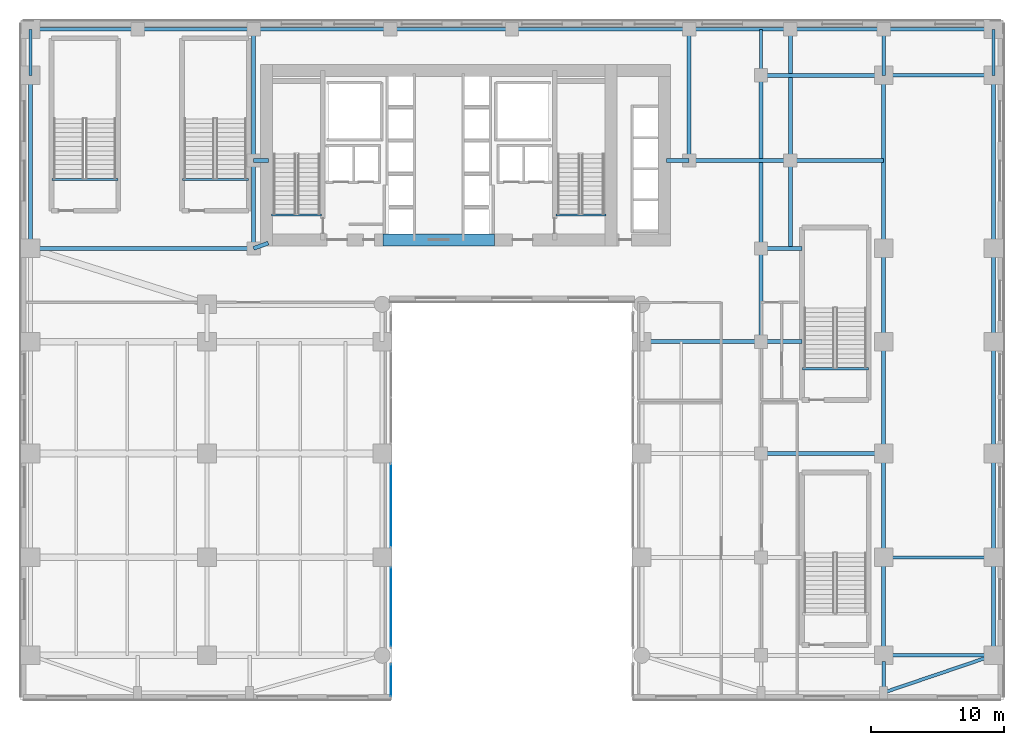
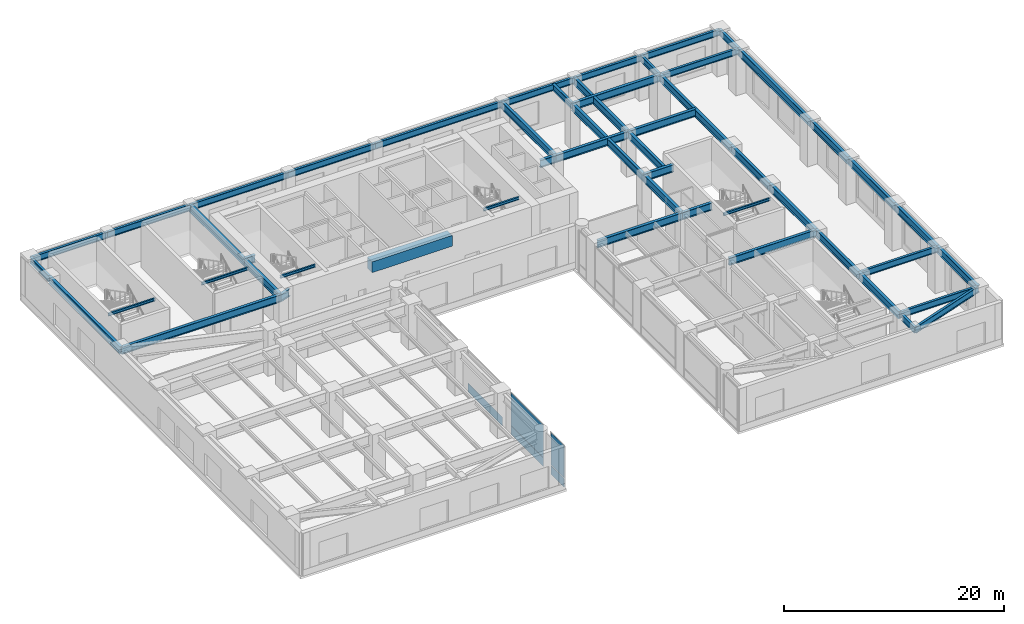
# One storey, part 11 of 24: 52 beams, 5 plates, 3 elements without a shape of their own.
"""IFC4 building model written with IfcOpenShell, lengths in metres."""

from ifc_helpers import new_model, si_unit, direction, frame, origin, origin_2d, place, context, subcontext, project, spatial, rectangle, i_section, extrude, source, transform, mapped, material, layer, layer_set, material_profile, profile_set, type_object, type_shapes, element, aggregate, save


model = new_model("IFC4")

# Units and contexts
model_context = context("Model", 3, precision=1e-05, world=origin(), true_north=direction((0.0, 1.0)))
body_context = subcontext(model_context, "Body", "Model", "MODEL_VIEW")
ifc_project = project(units=[si_unit("LENGTHUNIT", "METRE"), si_unit("AREAUNIT", "SQUARE_METRE"), si_unit("VOLUMEUNIT", "CUBIC_METRE"), si_unit("PLANEANGLEUNIT", "RADIAN"), si_unit("MASSUNIT", "GRAM", prefix="KILO")], contexts=[model_context])

# Site, building, storey
site_placement = place(None, origin())
site = spatial("IfcSite", under=ifc_project, at=site_placement, CompositionType="ELEMENT")
building_placement = place(site_placement, origin())
building = spatial("IfcBuilding", under=site, at=building_placement, Name="Tolvann Quenvar Hotel", CompositionType="ELEMENT")
storey_placement = place(building_placement, frame((0.0, 0.0, 6.0)))
storey = spatial("IfcBuildingStorey", under=building, at=storey_placement, Name="L01", CompositionType="ELEMENT", Elevation=6.0)

# Beams
ifc_material_1 = material(Name="Concrete S80 (80 MPa)", Category="concrete")
ifc_material_profile_1 = material_profile(ifc_material_1, rectangle(XDim=0.89990234375, YDim=1.199951171875, at=origin_2d()), Name="RC900x1200")
ifc_profile_set_1 = profile_set([ifc_material_profile_1], Name="Concrete S80 (80 MPa)")
beam_type_1 = type_object("IfcBeamType", Name="BM_LINT_RC900x1200", PredefinedType="LINTEL", material=ifc_profile_set_1)
shared_shape_1 = source(origin(), body_context, "Body", "SweptSolid", [
    extrude(rectangle(XDim=0.89990234375, YDim=1.199951171875, at=origin_2d()), origin(), (0.0, 0.0, 1.0), 8.39990234375),
])
type_shapes(beam_type_1, [shared_shape_1])
beam_1_placement = place(storey_placement, frame((18.800048828125, 32.050048828125, 4.139892578125), z_axis=(1.0, 0.0, 0.0), x_axis=(0.0, 1.0, 0.0)))
element("IfcBeam", 1, at=beam_1_placement, inside=storey, type_object=beam_type_1, Name="Core Coupling Lintel Beam (L01)", PredefinedType="LINTEL", context=body_context, shape_type="MappedRepresentation", body=[
    mapped(shared_shape_1, transform((0.0, 0.0, 0.0), x_axis=(1.0, 0.0, 0.0), y_axis=(0.0, 1.0, 0.0), z_axis=(0.0, 0.0, 1.0), scale=1.0)),
])
ifc_material_2 = material(Name="Steel Grade 350", Category="steel")
ifc_material_profile_2 = material_profile(ifc_material_2, i_section(OverallWidth=0.300048828125, OverallDepth=0.81591796875, WebThickness=0.010009765625, FlangeThickness=0.028076171875, at=origin_2d()), Name="800WB192")
ifc_profile_set_2 = profile_set([ifc_material_profile_2], Name="Steel Grade 350")
beam_type_2 = type_object("IfcBeamType", Name="BM_GIRD_800WB192", PredefinedType="BEAM", material=ifc_profile_set_2)
shared_shape_2 = source(origin(), body_context, "Body", "SweptSolid", [
    extrude(i_section(OverallWidth=0.300048828125, OverallDepth=0.81591796875, WebThickness=0.010009765625, FlangeThickness=0.028076171875, at=origin_2d()), origin(), (0.0, 0.0, 1.0), 7.349853515625),
])
for number, where, z_axis, x_axis, name in (
    (2, (56.39990234375, 0.85009765625, 4.33203125), (0.0, 1.0, 0.0), (-1.0, 0.0, 0.0), "BM-L01-NS-J-0"),
    (3, (64.64990234375, 0.85009765625, 4.33203125), (0.0, 1.0, 0.0), (-1.0, 0.0, 0.0), "BM-L01-NS-K-0"),
):
    element("IfcBeam", number, at=place(storey_placement, frame(where, z_axis=z_axis, x_axis=x_axis)), inside=storey, type_object=beam_type_2, Name=name, PredefinedType="BEAM", context=body_context, shape_type="MappedRepresentation", body=[
        mapped(shared_shape_2, transform((0.0, 0.0, 0.0), x_axis=(1.0, 0.0, 0.0), y_axis=(0.0, 1.0, 0.0), z_axis=(0.0, 0.0, 1.0), scale=1.0)),
    ])
shared_shape_3 = source(origin(), body_context, "Body", "SweptSolid", [
    extrude(i_section(OverallWidth=0.300048828125, OverallDepth=0.81591796875, WebThickness=0.010009765625, FlangeThickness=0.028076171875, at=origin_2d()), origin(), (0.0, 0.0, 1.0), 7.800048828125),
])
for number, where, z_axis, x_axis, name in (
    (4, (56.39990234375, 8.199951171875, 4.33203125), (0.0, 1.0, 0.0), (-1.0, 0.0, 0.0), "BM-L01-NS-J-1"),
    (5, (64.64990234375, 8.199951171875, 4.33203125), (0.0, 1.0, 0.0), (-1.0, 0.0, 0.0), "BM-L01-NS-K-1"),
):
    element("IfcBeam", number, at=place(storey_placement, frame(where, z_axis=z_axis, x_axis=x_axis)), inside=storey, type_object=beam_type_2, Name=name, PredefinedType="BEAM", context=body_context, shape_type="MappedRepresentation", body=[
        mapped(shared_shape_3, transform((0.0, 0.0, 0.0), x_axis=(1.0, 0.0, 0.0), y_axis=(0.0, 1.0, 0.0), z_axis=(0.0, 0.0, 1.0), scale=1.0)),
    ])
shared_shape_4 = source(origin(), body_context, "Body", "SweptSolid", [
    extrude(i_section(OverallWidth=0.300048828125, OverallDepth=0.81591796875, WebThickness=0.010009765625, FlangeThickness=0.028076171875, at=origin_2d()), origin(), (0.0, 0.0, 1.0), 8.39990234375),
])
for number, where, z_axis, x_axis, name in (
    (6, (56.39990234375, 16.0, 4.33203125), (0.0, 1.0, 0.0), (-1.0, 0.0, 0.0), "BM-L01-NS-J-2"),
    (7, (64.64990234375, 16.0, 4.33203125), (0.0, 1.0, 0.0), (-1.0, 0.0, 0.0), "BM-L01-NS-K-2"),
):
    element("IfcBeam", number, at=place(storey_placement, frame(where, z_axis=z_axis, x_axis=x_axis)), inside=storey, type_object=beam_type_2, Name=name, PredefinedType="BEAM", context=body_context, shape_type="MappedRepresentation", body=[
        mapped(shared_shape_4, transform((0.0, 0.0, 0.0), x_axis=(1.0, 0.0, 0.0), y_axis=(0.0, 1.0, 0.0), z_axis=(0.0, 0.0, 1.0), scale=1.0)),
    ])
shared_shape_5 = source(origin(), body_context, "Body", "SweptSolid", [
    extrude(i_section(OverallWidth=0.300048828125, OverallDepth=0.81591796875, WebThickness=0.010009765625, FlangeThickness=0.028076171875, at=origin_2d()), origin(), (0.0, 0.0, 1.0), 8.949951171875),
])
beam_2_placement = place(storey_placement, frame((38.25, 24.39990234375, 4.33203125), z_axis=(1.0, 0.0, 0.0), x_axis=(0.0, 1.0, 0.0)))
element("IfcBeam", 8, at=beam_2_placement, inside=storey, type_object=beam_type_2, Name="BM-L01-GE1-4", PredefinedType="BEAM", context=body_context, shape_type="MappedRepresentation", body=[
    mapped(shared_shape_5, transform((0.0, 0.0, 0.0), x_axis=(1.0, 0.0, 0.0), y_axis=(0.0, 1.0, 0.0), z_axis=(0.0, 0.0, 1.0), scale=1.0)),
])
shared_shape_6 = source(origin(), body_context, "Body", "SweptSolid", [
    extrude(i_section(OverallWidth=0.300048828125, OverallDepth=0.81591796875, WebThickness=0.010009765625, FlangeThickness=0.028076171875, at=origin_2d()), origin(), (0.0, 0.0, 1.0), 9.199951171875),
])
for number, where, z_axis, x_axis, name in (
    (9, (47.199951171875, 16.0, 4.33203125), (1.0, 0.0, 0.0), (0.0, 1.0, 0.0), "BM-L01-GE2-3"),
    (10, (47.199951171875, 44.39990234375, 4.33203125), (1.0, 0.0, 0.0), (0.0, 1.0, 0.0), "BM-L01-GE2-6"),
):
    element("IfcBeam", number, at=place(storey_placement, frame(where, z_axis=z_axis, x_axis=x_axis)), inside=storey, type_object=beam_type_2, Name=name, PredefinedType="BEAM", context=body_context, shape_type="MappedRepresentation", body=[
        mapped(shared_shape_6, transform((0.0, 0.0, 0.0), x_axis=(1.0, 0.0, 0.0), y_axis=(0.0, 1.0, 0.0), z_axis=(0.0, 0.0, 1.0), scale=1.0)),
    ])
ifc_material_profile_3 = material_profile(ifc_material_2, i_section(OverallWidth=0.25, OverallDepth=0.699951171875, WebThickness=0.010009765625, FlangeThickness=0.02392578125, at=origin_2d()), Name="700WB150")
ifc_profile_set_3 = profile_set([ifc_material_profile_3], Name="Steel Grade 350")
beam_type_3 = type_object("IfcBeamType", Name="BM_GIRD_700WB150", PredefinedType="BEAM", material=ifc_profile_set_3)
shared_shape_7 = source(origin(), body_context, "Body", "SweptSolid", [
    extrude(i_section(OverallWidth=0.25, OverallDepth=0.699951171875, WebThickness=0.010009765625, FlangeThickness=0.02392578125, at=origin_2d()), origin(), (0.0, 0.0, 1.0), 8.25),
])
for number, where, z_axis, x_axis, name in (
    (11, (56.39990234375, 0.85009765625, 4.389892578125), (1.0, 0.0, 0.0), (0.0, 1.0, 0.0), "BM-L01-GE3-1"),
    (12, (56.39990234375, 8.199951171875, 4.389892578125), (1.0, 0.0, 0.0), (0.0, 1.0, 0.0), "BM-L01-GE3-2"),
    (13, (56.39990234375, 44.39990234375, 4.389892578125), (1.0, 0.0, 0.0), (0.0, 1.0, 0.0), "BM-L01-GE3-6"),
    (14, (56.39990234375, 47.85009765625, 4.389892578125), (1.0, 0.0, 0.0), (0.0, 1.0, 0.0), "BM-L01-EWN-7"),
):
    element("IfcBeam", number, at=place(storey_placement, frame(where, z_axis=z_axis, x_axis=x_axis)), inside=storey, type_object=beam_type_3, Name=name, PredefinedType="BEAM", context=body_context, shape_type="MappedRepresentation", body=[
        mapped(shared_shape_7, transform((0.0, 0.0, 0.0), x_axis=(1.0, 0.0, 0.0), y_axis=(0.0, 1.0, 0.0), z_axis=(0.0, 0.0, 1.0), scale=1.0)),
    ])
shared_shape_8 = source(origin(), body_context, "Body", "SweptSolid", [
    extrude(i_section(OverallWidth=0.300048828125, OverallDepth=0.81591796875, WebThickness=0.010009765625, FlangeThickness=0.028076171875, at=origin_2d()), origin(), (0.0, 0.0, 1.0), 7.0),
])
for number, where, z_axis, x_axis, name in (
    (15, (47.199951171875, 24.39990234375, 4.33203125), (0.0, 1.0, 0.0), (-1.0, 0.0, 0.0), "BM-L01-NS-H-3"),
    (16, (56.39990234375, 24.39990234375, 4.33203125), (0.0, 1.0, 0.0), (-1.0, 0.0, 0.0), "BM-L01-NS-J-3"),
    (17, (64.64990234375, 24.39990234375, 4.33203125), (0.0, 1.0, 0.0), (-1.0, 0.0, 0.0), "BM-L01-NS-K-3"),
    (18, (49.39990234375, 38.0, 4.33203125), (1.0, 0.0, 0.0), (0.0, 1.0, 0.0), "BM-L01-EW-PIN3"),
):
    element("IfcBeam", number, at=place(storey_placement, frame(where, z_axis=z_axis, x_axis=x_axis)), inside=storey, type_object=beam_type_2, Name=name, PredefinedType="BEAM", context=body_context, shape_type="MappedRepresentation", body=[
        mapped(shared_shape_8, transform((0.0, 0.0, 0.0), x_axis=(1.0, 0.0, 0.0), y_axis=(0.0, 1.0, 0.0), z_axis=(0.0, 0.0, 1.0), scale=1.0)),
    ])
shared_shape_9 = source(origin(), body_context, "Body", "SweptSolid", [
    extrude(i_section(OverallWidth=0.300048828125, OverallDepth=0.81591796875, WebThickness=0.010009765625, FlangeThickness=0.028076171875, at=origin_2d()), origin(), (0.0, 0.0, 1.0), 13.0),
])
for number, where, z_axis, x_axis, name in (
    (19, (-7.64990234375, 31.39990234375, 4.33203125), (0.0, 1.0, 0.0), (-1.0, 0.0, 0.0), "BM-L01-NS-A-4"),
    (20, (47.199951171875, 31.39990234375, 4.33203125), (0.0, 1.0, 0.0), (-1.0, 0.0, 0.0), "BM-L01-NS-H-4"),
    (21, (56.39990234375, 31.39990234375, 4.33203125), (0.0, 1.0, 0.0), (-1.0, 0.0, 0.0), "BM-L01-NS-J-4"),
    (22, (64.64990234375, 31.39990234375, 4.33203125), (0.0, 1.0, 0.0), (-1.0, 0.0, 0.0), "BM-L01-NS-K-4"),
):
    element("IfcBeam", number, at=place(storey_placement, frame(where, z_axis=z_axis, x_axis=x_axis)), inside=storey, type_object=beam_type_2, Name=name, PredefinedType="BEAM", context=body_context, shape_type="MappedRepresentation", body=[
        mapped(shared_shape_9, transform((0.0, 0.0, 0.0), x_axis=(1.0, 0.0, 0.0), y_axis=(0.0, 1.0, 0.0), z_axis=(0.0, 0.0, 1.0), scale=1.0)),
    ])
shared_shape_10 = source(origin(), body_context, "Body", "SweptSolid", [
    extrude(i_section(OverallWidth=0.25, OverallDepth=0.699951171875, WebThickness=0.010009765625, FlangeThickness=0.02392578125, at=origin_2d()), origin(), (0.0, 0.0, 1.0), 3.4501953125),
])
for number, where, z_axis, x_axis, name in (
    (23, (-7.64990234375, 44.39990234375, 4.389892578125), (0.0, 1.0, 0.0), (-1.0, 0.0, 0.0), "BM-L01-NSN-A"),
    (24, (47.199951171875, 44.39990234375, 4.389892578125), (0.0, 1.0, 0.0), (-1.0, 0.0, 0.0), "BM-L01-NSN-H"),
    (25, (56.39990234375, 44.39990234375, 4.389892578125), (0.0, 1.0, 0.0), (-1.0, 0.0, 0.0), "BM-L01-NSN-J"),
    (26, (64.64990234375, 44.39990234375, 4.389892578125), (0.0, 1.0, 0.0), (-1.0, 0.0, 0.0), "BM-L01-NSN-K"),
):
    element("IfcBeam", number, at=place(storey_placement, frame(where, z_axis=z_axis, x_axis=x_axis)), inside=storey, type_object=beam_type_3, Name=name, PredefinedType="BEAM", context=body_context, shape_type="MappedRepresentation", body=[
        mapped(shared_shape_10, transform((0.0, 0.0, 0.0), x_axis=(1.0, 0.0, 0.0), y_axis=(0.0, 1.0, 0.0), z_axis=(0.0, 0.0, 1.0), scale=1.0)),
    ])
shared_shape_11 = source(origin(), body_context, "Body", "SweptSolid", [
    extrude(i_section(OverallWidth=0.25, OverallDepth=0.699951171875, WebThickness=0.010009765625, FlangeThickness=0.02392578125, at=origin_2d()), origin(), (0.0, 0.0, 1.0), 2.349853515625),
])
beam_3_placement = place(storey_placement, frame((56.39990234375, -1.949951171875, 4.389892578125), z_axis=(0.0, 1.0, 0.0), x_axis=(-1.0, 0.0, 0.0)))
element("IfcBeam", 27, at=beam_3_placement, inside=storey, type_object=beam_type_3, Name="BM-L01-NSS-J", PredefinedType="BEAM", context=body_context, shape_type="MappedRepresentation", body=[
    mapped(shared_shape_11, transform((0.0, 0.0, 0.0), x_axis=(1.0, 0.0, 0.0), y_axis=(0.0, 1.0, 0.0), z_axis=(0.0, 0.0, 1.0), scale=1.0)),
])
shared_shape_12 = source(origin(), body_context, "Body", "SweptSolid", [
    extrude(i_section(OverallWidth=0.25, OverallDepth=0.699951171875, WebThickness=0.010009765625, FlangeThickness=0.02392578125, at=origin_2d()), origin(), (0.0, 0.0, 1.0), 8.712158203125),
])
beam_4_placement = place(storey_placement, frame((56.39990234375, -1.949951171875, 4.389892578125), z_axis=(0.946945808453, 0.32139327288, 0.0), x_axis=(-0.32139327288, 0.946945808453, 0.0)))
element("IfcBeam", 28, at=beam_4_placement, inside=storey, type_object=beam_type_3, Name="BM-L01-EWS-E2", PredefinedType="BEAM", context=body_context, shape_type="MappedRepresentation", body=[
    mapped(shared_shape_12, transform((0.0, 0.0, 0.0), x_axis=(1.0, 0.0, 0.0), y_axis=(0.0, 1.0, 0.0), z_axis=(0.0, 0.0, 1.0), scale=1.0)),
])
shared_shape_13 = source(origin(), body_context, "Body", "SweptSolid", [
    extrude(i_section(OverallWidth=0.25, OverallDepth=0.699951171875, WebThickness=0.010009765625, FlangeThickness=0.02392578125, at=origin_2d()), origin(), (0.0, 0.0, 1.0), 8.0498046875),
])
beam_5_placement = place(storey_placement, frame((-7.64990234375, 47.85009765625, 4.389892578125), z_axis=(1.0, 0.0, 0.0), x_axis=(0.0, 1.0, 0.0)))
element("IfcBeam", 29, at=beam_5_placement, inside=storey, type_object=beam_type_3, Name="BM-L01-EWN-0", PredefinedType="BEAM", context=body_context, shape_type="MappedRepresentation", body=[
    mapped(shared_shape_13, transform((0.0, 0.0, 0.0), x_axis=(1.0, 0.0, 0.0), y_axis=(0.0, 1.0, 0.0), z_axis=(0.0, 0.0, 1.0), scale=1.0)),
])
shared_shape_14 = source(origin(), body_context, "Body", "SweptSolid", [
    extrude(i_section(OverallWidth=0.25, OverallDepth=0.699951171875, WebThickness=0.010009765625, FlangeThickness=0.02392578125, at=origin_2d()), origin(), (0.0, 0.0, 1.0), 8.7001953125),
])
beam_6_placement = place(storey_placement, frame((0.39990234375, 47.85009765625, 4.389892578125), z_axis=(1.0, 0.0, 0.0), x_axis=(0.0, 1.0, 0.0)))
element("IfcBeam", 30, at=beam_6_placement, inside=storey, type_object=beam_type_3, Name="BM-L01-EWN-1", PredefinedType="BEAM", context=body_context, shape_type="MappedRepresentation", body=[
    mapped(shared_shape_14, transform((0.0, 0.0, 0.0), x_axis=(1.0, 0.0, 0.0), y_axis=(0.0, 1.0, 0.0), z_axis=(0.0, 0.0, 1.0), scale=1.0)),
])
shared_shape_15 = source(origin(), body_context, "Body", "SweptSolid", [
    extrude(i_section(OverallWidth=0.25, OverallDepth=0.699951171875, WebThickness=0.010009765625, FlangeThickness=0.02392578125, at=origin_2d()), origin(), (0.0, 0.0, 1.0), 10.25),
])
beam_7_placement = place(storey_placement, frame((9.10009765625, 47.85009765625, 4.389892578125), z_axis=(1.0, 0.0, 0.0), x_axis=(0.0, 1.0, 0.0)))
element("IfcBeam", 31, at=beam_7_placement, inside=storey, type_object=beam_type_3, Name="BM-L01-EWN-2", PredefinedType="BEAM", context=body_context, shape_type="MappedRepresentation", body=[
    mapped(shared_shape_15, transform((0.0, 0.0, 0.0), x_axis=(1.0, 0.0, 0.0), y_axis=(0.0, 1.0, 0.0), z_axis=(0.0, 0.0, 1.0), scale=1.0)),
])
shared_shape_16 = source(origin(), body_context, "Body", "SweptSolid", [
    extrude(i_section(OverallWidth=0.25, OverallDepth=0.699951171875, WebThickness=0.010009765625, FlangeThickness=0.02392578125, at=origin_2d()), origin(), (0.0, 0.0, 1.0), 9.14990234375),
])
beam_8_placement = place(storey_placement, frame((19.35009765625, 47.85009765625, 4.389892578125), z_axis=(1.0, 0.0, 0.0), x_axis=(0.0, 1.0, 0.0)))
element("IfcBeam", 32, at=beam_8_placement, inside=storey, type_object=beam_type_3, Name="BM-L01-EWN-3", PredefinedType="BEAM", context=body_context, shape_type="MappedRepresentation", body=[
    mapped(shared_shape_16, transform((0.0, 0.0, 0.0), x_axis=(1.0, 0.0, 0.0), y_axis=(0.0, 1.0, 0.0), z_axis=(0.0, 0.0, 1.0), scale=1.0)),
])
shared_shape_17 = source(origin(), body_context, "Body", "SweptSolid", [
    extrude(i_section(OverallWidth=0.25, OverallDepth=0.699951171875, WebThickness=0.010009765625, FlangeThickness=0.02392578125, at=origin_2d()), origin(), (0.0, 0.0, 1.0), 13.300048828125),
])
beam_9_placement = place(storey_placement, frame((28.5, 47.85009765625, 4.389892578125), z_axis=(1.0, 0.0, 0.0), x_axis=(0.0, 1.0, 0.0)))
element("IfcBeam", 33, at=beam_9_placement, inside=storey, type_object=beam_type_3, Name="BM-L01-EWN-4", PredefinedType="BEAM", context=body_context, shape_type="MappedRepresentation", body=[
    mapped(shared_shape_17, transform((0.0, 0.0, 0.0), x_axis=(1.0, 0.0, 0.0), y_axis=(0.0, 1.0, 0.0), z_axis=(0.0, 0.0, 1.0), scale=1.0)),
])
shared_shape_18 = source(origin(), body_context, "Body", "SweptSolid", [
    extrude(i_section(OverallWidth=0.25, OverallDepth=0.699951171875, WebThickness=0.010009765625, FlangeThickness=0.02392578125, at=origin_2d()), origin(), (0.0, 0.0, 1.0), 7.599853515625),
])
beam_10_placement = place(storey_placement, frame((41.800048828125, 47.85009765625, 4.389892578125), z_axis=(1.0, 0.0, 0.0), x_axis=(0.0, 1.0, 0.0)))
element("IfcBeam", 34, at=beam_10_placement, inside=storey, type_object=beam_type_3, Name="BM-L01-EWN-5", PredefinedType="BEAM", context=body_context, shape_type="MappedRepresentation", body=[
    mapped(shared_shape_18, transform((0.0, 0.0, 0.0), x_axis=(1.0, 0.0, 0.0), y_axis=(0.0, 1.0, 0.0), z_axis=(0.0, 0.0, 1.0), scale=1.0)),
])
shared_shape_19 = source(origin(), body_context, "Body", "SweptSolid", [
    extrude(i_section(OverallWidth=0.25, OverallDepth=0.699951171875, WebThickness=0.010009765625, FlangeThickness=0.02392578125, at=origin_2d()), origin(), (0.0, 0.0, 1.0), 7.0),
])
type_shapes(beam_type_3, [shared_shape_7, shared_shape_10, shared_shape_11, shared_shape_12, shared_shape_13, shared_shape_14, shared_shape_15, shared_shape_16, shared_shape_17, shared_shape_18, shared_shape_19])
beam_11_placement = place(storey_placement, frame((49.39990234375, 47.85009765625, 4.389892578125), z_axis=(1.0, 0.0, 0.0), x_axis=(0.0, 1.0, 0.0)))
element("IfcBeam", 35, at=beam_11_placement, inside=storey, type_object=beam_type_3, Name="BM-L01-EWN-6", PredefinedType="BEAM", context=body_context, shape_type="MappedRepresentation", body=[
    mapped(shared_shape_19, transform((0.0, 0.0, 0.0), x_axis=(1.0, 0.0, 0.0), y_axis=(0.0, 1.0, 0.0), z_axis=(0.0, 0.0, 1.0), scale=1.0)),
])
shared_shape_20 = source(origin(), body_context, "Body", "SweptSolid", [
    extrude(i_section(OverallWidth=0.300048828125, OverallDepth=0.81591796875, WebThickness=0.010009765625, FlangeThickness=0.028076171875, at=origin_2d()), origin(), (0.0, 0.0, 1.0), 16.75),
])
beam_12_placement = place(storey_placement, frame((-7.64990234375, 31.39990234375, 4.33203125), z_axis=(1.0, 0.0, 0.0), x_axis=(0.0, 1.0, 0.0)))
element("IfcBeam", 36, at=beam_12_placement, inside=storey, type_object=beam_type_2, Name="BM-L01-EW-PCNS", PredefinedType="BEAM", context=body_context, shape_type="MappedRepresentation", body=[
    mapped(shared_shape_20, transform((0.0, 0.0, 0.0), x_axis=(1.0, 0.0, 0.0), y_axis=(0.0, 1.0, 0.0), z_axis=(0.0, 0.0, 1.0), scale=1.0)),
])
shared_shape_21 = source(origin(), body_context, "Body", "SweptSolid", [
    extrude(i_section(OverallWidth=0.300048828125, OverallDepth=0.81591796875, WebThickness=0.010009765625, FlangeThickness=0.028076171875, at=origin_2d()), origin(), (0.0, 0.0, 1.0), 1.17041015625),
])
beam_13_placement = place(storey_placement, frame((9.10009765625, 31.39990234375, 4.33203125), z_axis=(0.939738597058, 0.34189379813, 0.0), x_axis=(-0.34189379813, 0.939738597058, 0.0)))
element("IfcBeam", 37, at=beam_13_placement, inside=storey, type_object=beam_type_2, Name="BM-L01-EW-PCNS2", PredefinedType="BEAM", context=body_context, shape_type="MappedRepresentation", body=[
    mapped(shared_shape_21, transform((0.0, 0.0, 0.0), x_axis=(1.0, 0.0, 0.0), y_axis=(0.0, 1.0, 0.0), z_axis=(0.0, 0.0, 1.0), scale=1.0)),
])
shared_shape_22 = source(origin(), body_context, "Body", "SweptSolid", [
    extrude(i_section(OverallWidth=0.300048828125, OverallDepth=0.81591796875, WebThickness=0.010009765625, FlangeThickness=0.028076171875, at=origin_2d()), origin(), (0.0, 0.0, 1.0), 6.60009765625),
])
for number, where, z_axis, x_axis, name in (
    (38, (9.10009765625, 31.39990234375, 4.33203125), (0.0, 1.0, 0.0), (-1.0, 0.0, 0.0), "BM-L01-NSB-PCN1"),
    (39, (49.39990234375, 31.39990234375, 4.33203125), (0.0, 1.0, 0.0), (-1.0, 0.0, 0.0), "BM-L01-NSB-PIN1"),
):
    element("IfcBeam", number, at=place(storey_placement, frame(where, z_axis=z_axis, x_axis=x_axis)), inside=storey, type_object=beam_type_2, Name=name, PredefinedType="BEAM", context=body_context, shape_type="MappedRepresentation", body=[
        mapped(shared_shape_22, transform((0.0, 0.0, 0.0), x_axis=(1.0, 0.0, 0.0), y_axis=(0.0, 1.0, 0.0), z_axis=(0.0, 0.0, 1.0), scale=1.0)),
    ])
shared_shape_23 = source(origin(), body_context, "Body", "SweptSolid", [
    extrude(i_section(OverallWidth=0.300048828125, OverallDepth=0.81591796875, WebThickness=0.010009765625, FlangeThickness=0.028076171875, at=origin_2d()), origin(), (0.0, 0.0, 1.0), 9.85009765625),
])
for number, where, z_axis, x_axis, name in (
    (40, (9.10009765625, 38.0, 4.33203125), (0.0, 1.0, 0.0), (-1.0, 0.0, 0.0), "BM-L01-NSB-PCN2"),
    (41, (41.800048828125, 38.0, 4.33203125), (0.0, 1.0, 0.0), (-1.0, 0.0, 0.0), "BM-L01-NSB-PHN2"),
    (42, (49.39990234375, 38.0, 4.33203125), (0.0, 1.0, 0.0), (-1.0, 0.0, 0.0), "BM-L01-NSB-PIN2"),
):
    element("IfcBeam", number, at=place(storey_placement, frame(where, z_axis=z_axis, x_axis=x_axis)), inside=storey, type_object=beam_type_2, Name=name, PredefinedType="BEAM", context=body_context, shape_type="MappedRepresentation", body=[
        mapped(shared_shape_23, transform((0.0, 0.0, 0.0), x_axis=(1.0, 0.0, 0.0), y_axis=(0.0, 1.0, 0.0), z_axis=(0.0, 0.0, 1.0), scale=1.0)),
    ])
shared_shape_24 = source(origin(), body_context, "Body", "SweptSolid", [
    extrude(i_section(OverallWidth=0.300048828125, OverallDepth=0.81591796875, WebThickness=0.010009765625, FlangeThickness=0.028076171875, at=origin_2d()), origin(), (0.0, 0.0, 1.0), 1.099853515625),
])
beam_14_placement = place(storey_placement, frame((9.10009765625, 38.0, 4.33203125), z_axis=(1.0, 0.0, 0.0), x_axis=(0.0, 1.0, 0.0)))
element("IfcBeam", 43, at=beam_14_placement, inside=storey, type_object=beam_type_2, Name="BM-L01-EW-PCN", PredefinedType="BEAM", context=body_context, shape_type="MappedRepresentation", body=[
    mapped(shared_shape_24, transform((0.0, 0.0, 0.0), x_axis=(1.0, 0.0, 0.0), y_axis=(0.0, 1.0, 0.0), z_axis=(0.0, 0.0, 1.0), scale=1.0)),
])
shared_shape_25 = source(origin(), body_context, "Body", "SweptSolid", [
    extrude(i_section(OverallWidth=0.300048828125, OverallDepth=0.81591796875, WebThickness=0.010009765625, FlangeThickness=0.028076171875, at=origin_2d()), origin(), (0.0, 0.0, 1.0), 1.699951171875),
])
beam_15_placement = place(storey_placement, frame((40.10009765625, 38.0, 4.33203125), z_axis=(1.0, 0.0, 0.0), x_axis=(0.0, 1.0, 0.0)))
element("IfcBeam", 44, at=beam_15_placement, inside=storey, type_object=beam_type_2, Name="BM-L01-EW-PHN1", PredefinedType="BEAM", context=body_context, shape_type="MappedRepresentation", body=[
    mapped(shared_shape_25, transform((0.0, 0.0, 0.0), x_axis=(1.0, 0.0, 0.0), y_axis=(0.0, 1.0, 0.0), z_axis=(0.0, 0.0, 1.0), scale=1.0)),
])
shared_shape_26 = source(origin(), body_context, "Body", "SweptSolid", [
    extrude(i_section(OverallWidth=0.300048828125, OverallDepth=0.81591796875, WebThickness=0.010009765625, FlangeThickness=0.028076171875, at=origin_2d()), origin(), (0.0, 0.0, 1.0), 3.074951171875),
])
for number, where, z_axis, x_axis, name in (
    (45, (47.199951171875, 24.39990234375, 4.33203125), (1.0, 0.0, 0.0), (0.0, 1.0, 0.0), "BM-L01-GE2-4"),
    (46, (47.199951171875, 31.39990234375, 4.33203125), (1.0, 0.0, 0.0), (0.0, 1.0, 0.0), "BM-L01-GE2-5"),
):
    element("IfcBeam", number, at=place(storey_placement, frame(where, z_axis=z_axis, x_axis=x_axis)), inside=storey, type_object=beam_type_2, Name=name, PredefinedType="BEAM", context=body_context, shape_type="MappedRepresentation", body=[
        mapped(shared_shape_26, transform((0.0, 0.0, 0.0), x_axis=(1.0, 0.0, 0.0), y_axis=(0.0, 1.0, 0.0), z_axis=(0.0, 0.0, 1.0), scale=1.0)),
    ])
shared_shape_27 = source(origin(), body_context, "Body", "SweptSolid", [
    extrude(i_section(OverallWidth=0.300048828125, OverallDepth=0.81591796875, WebThickness=0.010009765625, FlangeThickness=0.028076171875, at=origin_2d()), origin(), (0.0, 0.0, 1.0), 7.599853515625),
])
type_shapes(beam_type_2, [shared_shape_2, shared_shape_3, shared_shape_4, shared_shape_5, shared_shape_6, shared_shape_8, shared_shape_9, shared_shape_20, shared_shape_21, shared_shape_22, shared_shape_23, shared_shape_24, shared_shape_25, shared_shape_26, shared_shape_27])
beam_16_placement = place(storey_placement, frame((41.800048828125, 38.0, 4.33203125), z_axis=(1.0, 0.0, 0.0), x_axis=(0.0, 1.0, 0.0)))
element("IfcBeam", 47, at=beam_16_placement, inside=storey, type_object=beam_type_2, Name="BM-L01-EW-PHN2", PredefinedType="BEAM", context=body_context, shape_type="MappedRepresentation", body=[
    mapped(shared_shape_27, transform((0.0, 0.0, 0.0), x_axis=(1.0, 0.0, 0.0), y_axis=(0.0, 1.0, 0.0), z_axis=(0.0, 0.0, 1.0), scale=1.0)),
])
ifc_material_profile_4 = material_profile(ifc_material_2, i_section(OverallWidth=0.166015625, OverallDepth=0.306884765625, WebThickness=0.006591796875, FlangeThickness=0.01171875, FilletRadius=0.011474609375, at=origin_2d()), Name="310UB46")
ifc_profile_set_4 = profile_set([ifc_material_profile_4], Name="Steel Grade 350")
beam_type_4 = type_object("IfcBeamType", Name="BM_JOIST_310UB46", PredefinedType="JOIST", material=ifc_profile_set_4)
shared_shape_28 = source(origin(), body_context, "Body", "SweptSolid", [
    extrude(i_section(OverallWidth=0.166015625, OverallDepth=0.306884765625, WebThickness=0.006591796875, FlangeThickness=0.01171875, FilletRadius=0.011474609375, at=origin_2d()), origin(), (0.0, 0.0, 1.0), 3.75),
])
for number, where, z_axis, x_axis, name in (
    (48, (10.449951171875, 33.9150390625, 4.58642578125), (1.0, 0.0, 0.0), (0.0, 1.0, 0.0), "BM-HDR-ST-C1-L02"),
    (49, (31.800048828125, 33.9150390625, 4.58642578125), (1.0, 0.0, 0.0), (0.0, 1.0, 0.0), "BM-HDR-ST-C2-L02"),
):
    element("IfcBeam", number, at=place(storey_placement, frame(where, z_axis=z_axis, x_axis=x_axis)), inside=storey, type_object=beam_type_4, Name=name, PredefinedType="JOIST", context=body_context, shape_type="MappedRepresentation", body=[
        mapped(shared_shape_28, transform((0.0, 0.0, 0.0), x_axis=(1.0, 0.0, 0.0), y_axis=(0.0, 1.0, 0.0), z_axis=(0.0, 0.0, 1.0), scale=1.0)),
    ])
shared_shape_29 = source(origin(), body_context, "Body", "SweptSolid", [
    extrude(i_section(OverallWidth=0.166015625, OverallDepth=0.306884765625, WebThickness=0.006591796875, FlangeThickness=0.01171875, FilletRadius=0.011474609375, at=origin_2d()), origin(), (0.0, 0.0, 1.0), 4.949951171875),
])
type_shapes(beam_type_4, [shared_shape_28, shared_shape_29])
for number, where, z_axis, x_axis, name in (
    (50, (-6.050048828125, 36.56494140625, 4.58642578125), (1.0, 0.0, 0.0), (0.0, 1.0, 0.0), "BM-HDR-ST-P1-L02"),
    (51, (3.75, 36.56494140625, 4.58642578125), (1.0, 0.0, 0.0), (0.0, 1.0, 0.0), "BM-HDR-ST-P2-L02"),
    (52, (50.300048828125, 22.364990234375, 4.58642578125), (1.0, 0.0, 0.0), (0.0, 1.0, 0.0), "BM-HDR-ST-P4-L02"),
):
    element("IfcBeam", number, at=place(storey_placement, frame(where, z_axis=z_axis, x_axis=x_axis)), inside=storey, type_object=beam_type_4, Name=name, PredefinedType="JOIST", context=body_context, shape_type="MappedRepresentation", body=[
        mapped(shared_shape_29, transform((0.0, 0.0, 0.0), x_axis=(1.0, 0.0, 0.0), y_axis=(0.0, 1.0, 0.0), z_axis=(0.0, 0.0, 1.0), scale=1.0)),
    ])

# Curtain wall, plate
ifc_material_3 = material(Name="Thermally broken anodised architectural aluminium 6063-T6 and laminated low-E glass", Category="aluminium")
ifc_layer_1 = layer(ifc_material_3, 0.179931640625)
ifc_layer_set_1 = layer_set([ifc_layer_1], Name="Thermally broken anodised architectural aluminium 6063-T6 and laminated low-E glass")
curtain_wall_type = type_object("IfcCurtainWallType", Name="CW_SYS_ARCH_01", PredefinedType="USERDEFINED", material=ifc_layer_set_1)
curtain_wall_1_placement = place(storey_placement, origin())
curtain_wall_1 = element("IfcCurtainWall", 53, at=curtain_wall_1_placement, inside=storey, type_object=curtain_wall_type, Name="Curtain Wall CW-ARCH-01 (CWR-L01-E01-S1)", ObjectType="UNITISED CURTAIN WALL", PredefinedType="USERDEFINED")
ifc_material_4 = material(Name="Low-iron laminated double glazing with solar-control coating", Category="glass")
ifc_layer_2 = layer(ifc_material_4, 0.028076171875)
ifc_layer_set_2 = layer_set([ifc_layer_2], Name="Low-iron laminated double glazing with solar-control coating")
plate_type = type_object("IfcPlateType", Name="CW_PAN_VISION_28", PredefinedType="CURTAIN_PANEL", material=ifc_layer_set_2)
shared_shape_30 = source(origin(), body_context, "Body", "SweptSolid", [
    extrude(rectangle(XDim=2.39599609375, YDim=0.028076171875, at=origin_2d()), origin(), (0.0, 0.0, 1.0), 0.9599609375),
])
plate_1_placement = place(storey_placement, frame((19.409912109375, -1.02197265625, 0.06005859375), z_axis=(0.0, 0.0, 1.0), x_axis=(0.0, 1.0, 0.0)))
plate_1 = element("IfcPlate", 54, at=plate_1_placement, type_object=plate_type, Name="CW-ARCH-01 panel 1.1", PredefinedType="CURTAIN_PANEL", context=body_context, shape_type="MappedRepresentation", body=[
    mapped(shared_shape_30, transform((0.0, 0.0, 0.0), x_axis=(1.0, 0.0, 0.0), y_axis=(0.0, 1.0, 0.0), z_axis=(0.0, 0.0, 1.0), scale=1.0)),
])

curtain_wall_2_placement = place(storey_placement, origin())
curtain_wall_2 = element("IfcCurtainWall", 55, at=curtain_wall_2_placement, inside=storey, type_object=curtain_wall_type, Name="Curtain Wall CW-ARCH-01 (CWR-L01-E01-S2)", ObjectType="UNITISED CURTAIN WALL", PredefinedType="USERDEFINED")
shared_shape_31 = source(origin(), body_context, "Body", "SweptSolid", [
    extrude(rectangle(XDim=5.902099609375, YDim=0.028076171875, at=origin_2d()), origin(), (0.0, 0.0, 1.0), 0.9599609375),
])
plate_2_placement = place(storey_placement, frame((19.409912109375, 4.47509765625, 0.06005859375), z_axis=(0.0, 0.0, 1.0), x_axis=(0.0, 1.0, 0.0)))
plate_2 = element("IfcPlate", 56, at=plate_2_placement, type_object=plate_type, Name="CW-ARCH-01 panel 1.1", PredefinedType="CURTAIN_PANEL", context=body_context, shape_type="MappedRepresentation", body=[
    mapped(shared_shape_31, transform((0.0, 0.0, 0.0), x_axis=(1.0, 0.0, 0.0), y_axis=(0.0, 1.0, 0.0), z_axis=(0.0, 0.0, 1.0), scale=1.0)),
])

curtain_wall_3_placement = place(storey_placement, origin())
curtain_wall_3 = element("IfcCurtainWall", 57, at=curtain_wall_3_placement, inside=storey, type_object=curtain_wall_type, Name="Curtain Wall CW-ARCH-01 (CWR-L01-E01-S3)", ObjectType="UNITISED CURTAIN WALL", PredefinedType="USERDEFINED")
shared_shape_32 = source(origin(), body_context, "Body", "SweptSolid", [
    extrude(rectangle(XDim=6.251953125, YDim=0.028076171875, at=origin_2d()), origin(), (0.0, 0.0, 1.0), 0.9599609375),
])
plate_3_placement = place(storey_placement, frame((19.409912109375, 12.10009765625, 0.06005859375), z_axis=(0.0, 0.0, 1.0), x_axis=(0.0, 1.0, 0.0)))
plate_3 = element("IfcPlate", 58, at=plate_3_placement, type_object=plate_type, Name="CW-ARCH-01 panel 1.1", PredefinedType="CURTAIN_PANEL", context=body_context, shape_type="MappedRepresentation", body=[
    mapped(shared_shape_32, transform((0.0, 0.0, 0.0), x_axis=(1.0, 0.0, 0.0), y_axis=(0.0, 1.0, 0.0), z_axis=(0.0, 0.0, 1.0), scale=1.0)),
])
aggregate(curtain_wall_3, [plate_3])

# Plate
shared_shape_33 = source(origin(), body_context, "Body", "SweptSolid", [
    extrude(rectangle(XDim=2.39599609375, YDim=0.028076171875, at=origin_2d()), origin(), (0.0, 0.0, 1.0), 3.60009765625),
])
plate_4_placement = place(storey_placement, frame((19.409912109375, -1.02197265625, 1.079833984375), z_axis=(0.0, 0.0, 1.0), x_axis=(0.0, 1.0, 0.0)))
plate_4 = element("IfcPlate", 59, at=plate_4_placement, type_object=plate_type, Name="CW-ARCH-01 panel 1.2", PredefinedType="CURTAIN_PANEL", context=body_context, shape_type="MappedRepresentation", body=[
    mapped(shared_shape_33, transform((0.0, 0.0, 0.0), x_axis=(1.0, 0.0, 0.0), y_axis=(0.0, 1.0, 0.0), z_axis=(0.0, 0.0, 1.0), scale=1.0)),
])

aggregate(curtain_wall_1, [plate_1, plate_4])

shared_shape_34 = source(origin(), body_context, "Body", "SweptSolid", [
    extrude(rectangle(XDim=5.902099609375, YDim=0.028076171875, at=origin_2d()), origin(), (0.0, 0.0, 1.0), 3.60009765625),
])
type_shapes(plate_type, [shared_shape_30, shared_shape_31, shared_shape_32, shared_shape_33, shared_shape_34])
plate_5_placement = place(storey_placement, frame((19.409912109375, 4.47509765625, 1.079833984375), z_axis=(0.0, 0.0, 1.0), x_axis=(0.0, 1.0, 0.0)))
plate_5 = element("IfcPlate", 60, at=plate_5_placement, type_object=plate_type, Name="CW-ARCH-01 panel 1.2", PredefinedType="CURTAIN_PANEL", context=body_context, shape_type="MappedRepresentation", body=[
    mapped(shared_shape_34, transform((0.0, 0.0, 0.0), x_axis=(1.0, 0.0, 0.0), y_axis=(0.0, 1.0, 0.0), z_axis=(0.0, 0.0, 1.0), scale=1.0)),
])

aggregate(curtain_wall_2, [plate_2, plate_5])

save(model, "model.ifc")
